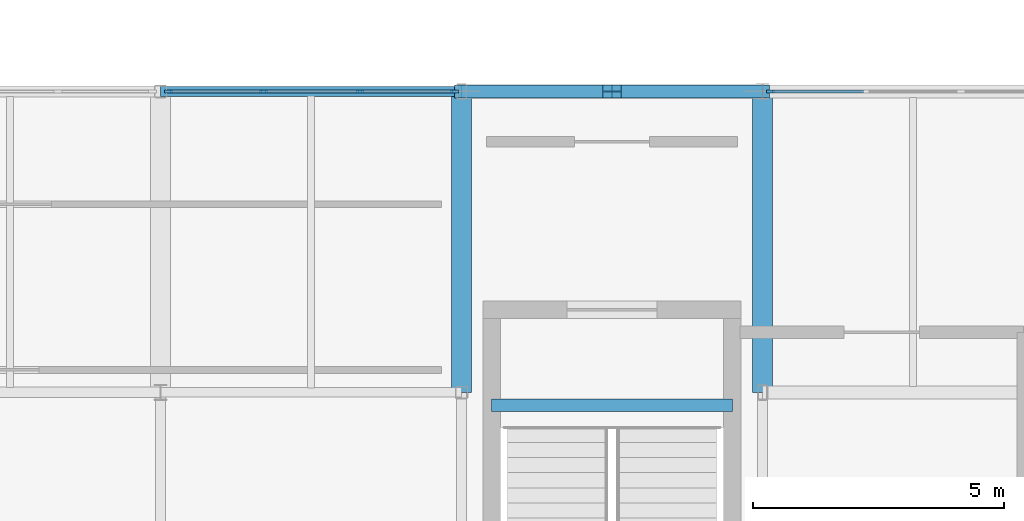
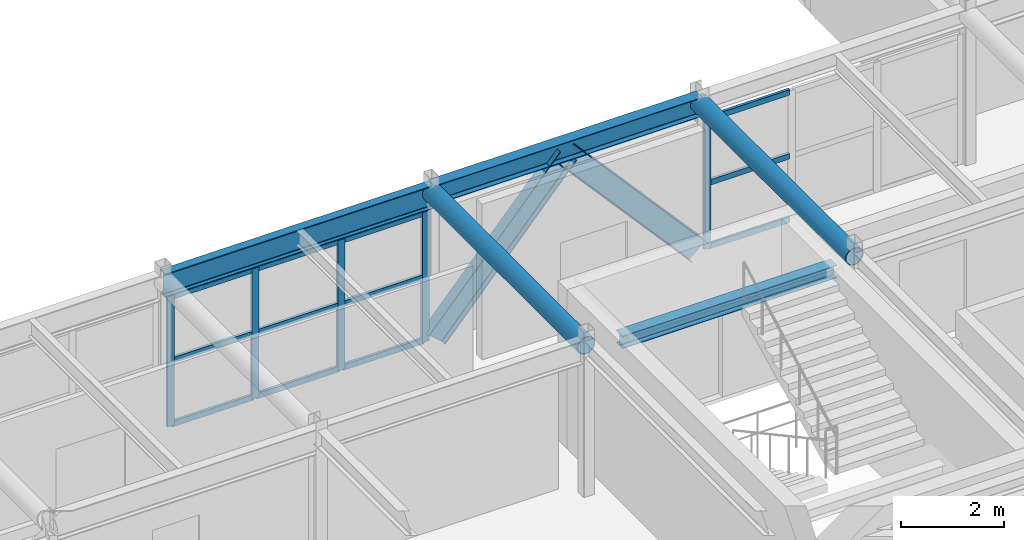
# One storey, part 5 of 27: 19 members, 5 beams, 2 elements without a shape of their own.
"""IFC4 building model written with IfcOpenShell, lengths in metres."""

from ifc_helpers import new_model, si_unit, direction, frame, origin, origin_2d, place, context, subcontext, project, spatial, rectangle, hollow_circle, i_section, extrude, material, material_profile, profile_set, type_object, element, aggregate, save


model = new_model("IFC4")

# Units and contexts
model_context = context("Model", 3, precision=1e-05, world=origin(), true_north=direction((0.0, 1.0)))
body_context = subcontext(model_context, "Body", "Model", "MODEL_VIEW")
ifc_project = project(units=[si_unit("LENGTHUNIT", "METRE"), si_unit("AREAUNIT", "SQUARE_METRE"), si_unit("VOLUMEUNIT", "CUBIC_METRE"), si_unit("PLANEANGLEUNIT", "RADIAN"), si_unit("MASSUNIT", "GRAM", prefix="KILO")], contexts=[model_context])

# Site, building, storey
site_placement = place(None, origin())
site = spatial("IfcSite", under=ifc_project, at=site_placement, CompositionType="ELEMENT")
building_placement = place(site_placement, origin())
building = spatial("IfcBuilding", under=site, at=building_placement, Name="Varnakota Square Police Headquarters", CompositionType="ELEMENT")
storey_placement = place(building_placement, frame((0.0, 0.0, 26.10009765625)))
storey = spatial("IfcBuildingStorey", under=building, at=storey_placement, Name="L06", CompositionType="ELEMENT", Elevation=26.10009765625)

# Beams
ifc_material_1 = material(Name="Steel IS 2062 Grade 350", Category="steel")
ifc_material_profile_1 = material_profile(ifc_material_1, hollow_circle(Radius=0.203125, WallThickness=0.01611328125, at=origin_2d()), Name="CHS 406.4x16.0")
ifc_profile_set_1 = profile_set([ifc_material_profile_1], Name="Steel IS 2062 Grade 350")
beam_type_1 = type_object("IfcBeamType", Name="BM-ARC-CHS406", PredefinedType="BEAM", material=ifc_profile_set_1)
for number, where, z_axis, x_axis, name in (
    (1, (126.0, 9.0, 3.48681640625), (0.0, 1.0, 0.0), (-1.0, 0.0, 0.0), "BMG-L06-3342"),
    (2, (132.0, 9.0, 3.48681640625), (0.0, 1.0, 0.0), (-1.0, 0.0, 0.0), "BMG-L06-3344"),
):
    element("IfcBeam", number, at=place(storey_placement, frame(where, z_axis=z_axis, x_axis=x_axis)), inside=storey, type_object=beam_type_1, Name=name, PredefinedType="BEAM", context=body_context, shape_type="SweptSolid", body=[
        extrude(hollow_circle(Radius=0.203125, WallThickness=0.01611328125, at=origin_2d()), origin(), (0.0, 0.0, 1.0), 6.0),
    ])
ifc_material_profile_2 = material_profile(ifc_material_1, i_section(OverallWidth=0.25, OverallDepth=0.300048828125, WebThickness=0.009521484375, FlangeThickness=0.010498046875, FilletRadius=0.011962890625, at=origin_2d()), Name="ISHB 300")
ifc_profile_set_2 = profile_set([ifc_material_profile_2], Name="Steel IS 2062 Grade 350")
beam_type_2 = type_object("IfcBeamType", Name="BM-ISHB300", PredefinedType="BEAM", material=ifc_profile_set_2)
beam_1_placement = place(storey_placement, frame((126.60009765625, 8.75, 3.56982421875), z_axis=(1.0, 0.0, 0.0), x_axis=(0.0, 1.0, 0.0)))
element("IfcBeam", 3, at=beam_1_placement, inside=storey, type_object=beam_type_2, Name="Stair landing support beam BM-LND-0015", PredefinedType="BEAM", context=body_context, shape_type="SweptSolid", body=[
    extrude(i_section(OverallWidth=0.25, OverallDepth=0.300048828125, WebThickness=0.009521484375, FlangeThickness=0.010498046875, FilletRadius=0.011962890625, at=origin_2d()), origin(), (0.0, 0.0, 1.0), 4.7998046875),
])
ifc_material_profile_3 = material_profile(ifc_material_1, i_section(OverallWidth=0.25, OverallDepth=0.449951171875, WebThickness=0.01123046875, FlangeThickness=0.013671875, FilletRadius=0.014892578125, at=origin_2d()), Name="ISHB 450")
ifc_profile_set_3 = profile_set([ifc_material_profile_3], Name="Steel IS 2062 Grade 350")
beam_type_3 = type_object("IfcBeamType", Name="BM-ISHB450", PredefinedType="BEAM", material=ifc_profile_set_3)
beam_2_placement = place(storey_placement, frame((126.0, 15.0, 3.46484375), z_axis=(1.0, 0.0, 0.0), x_axis=(0.0, 1.0, 0.0)))
element("IfcBeam", 4, at=beam_2_placement, inside=storey, type_object=beam_type_3, Name="BMG-L06-3315", PredefinedType="BEAM", context=body_context, shape_type="SweptSolid", body=[
    extrude(i_section(OverallWidth=0.25, OverallDepth=0.449951171875, WebThickness=0.01123046875, FlangeThickness=0.013671875, FilletRadius=0.014892578125, at=origin_2d()), origin(), (0.0, 0.0, 1.0), 6.0),
])
ifc_material_profile_4 = material_profile(ifc_material_1, i_section(OverallWidth=0.18994140625, OverallDepth=0.550048828125, WebThickness=0.01123046875, FlangeThickness=0.019287109375, FilletRadius=0.01806640625, at=origin_2d()), Name="ISMB 550")
ifc_profile_set_4 = profile_set([ifc_material_profile_4], Name="Steel IS 2062 Grade 350")
beam_type_4 = type_object("IfcBeamType", Name="BM-ISMB550", PredefinedType="BEAM", material=ifc_profile_set_4)
beam_3_placement = place(storey_placement, frame((120.0, 15.0, 3.414794921875), z_axis=(1.0, 0.0, 0.0), x_axis=(0.0, 1.0, 0.0)))
element("IfcBeam", 5, at=beam_3_placement, inside=storey, type_object=beam_type_4, Name="BMG-L06-3314", PredefinedType="BEAM", context=body_context, shape_type="SweptSolid", body=[
    extrude(i_section(OverallWidth=0.18994140625, OverallDepth=0.550048828125, WebThickness=0.01123046875, FlangeThickness=0.019287109375, FilletRadius=0.01806640625, at=origin_2d()), origin(), (0.0, 0.0, 1.0), 6.0),
])

# Curtain wall, members
ifc_material_2 = material(Name="Anodised Aluminium Framing", Category="aluminium")
curtain_wall_type = type_object("IfcCurtainWallType", Name="CW-SYS-D", PredefinedType="NOTDEFINED", material=ifc_material_2)
curtain_wall_1_placement = place(storey_placement, origin())
curtain_wall_1 = element("IfcCurtainWall", 6, at=curtain_wall_1_placement, inside=storey, type_object=curtain_wall_type, Name="Unitised curtain wall CWG-L06-115", PredefinedType="NOTDEFINED")
ifc_material_3 = material(Name="Anodised Aluminium 6063-T6", Category="aluminium")
ifc_material_profile_5 = material_profile(ifc_material_3, rectangle(XDim=0.06494140625, YDim=0.159912109375, at=origin_2d()), Name="ALU MULLION 65x160")
ifc_profile_set_5 = profile_set([ifc_material_profile_5], Name="Anodised Aluminium 6063-T6")
member_type_1 = type_object("IfcMemberType", Name="CWM-150", PredefinedType="MULLION", material=ifc_profile_set_5)
member_1_placement = place(storey_placement, frame((120.16259765625, 15.0, 0.0), z_axis=(0.0, 0.0, 1.0), x_axis=(0.0, 1.0, 0.0)))
member_1 = element("IfcMember", 7, at=member_1_placement, type_object=member_type_1, Name="CWG-L06-115 mullion 1", PredefinedType="MULLION", context=body_context, shape_type="SweptSolid", body=[
    extrude(rectangle(XDim=0.06494140625, YDim=0.159912109375, at=origin_2d()), origin(), (0.0, 0.0, 1.0), 3.079833984375),
])
member_2_placement = place(storey_placement, frame((122.0517578125, 15.0, 0.0), z_axis=(0.0, 0.0, 1.0), x_axis=(0.0, 1.0, 0.0)))
member_2 = element("IfcMember", 8, at=member_2_placement, type_object=member_type_1, Name="CWG-L06-115 mullion 2", PredefinedType="MULLION", context=body_context, shape_type="SweptSolid", body=[
    extrude(rectangle(XDim=0.06494140625, YDim=0.159912109375, at=origin_2d()), origin(), (0.0, 0.0, 1.0), 3.079833984375),
])
member_3_placement = place(storey_placement, frame((123.973388671875, 15.0, 0.0), z_axis=(0.0, 0.0, 1.0), x_axis=(0.0, 1.0, 0.0)))
member_3 = element("IfcMember", 9, at=member_3_placement, type_object=member_type_1, Name="CWG-L06-115 mullion 3", PredefinedType="MULLION", context=body_context, shape_type="SweptSolid", body=[
    extrude(rectangle(XDim=0.06494140625, YDim=0.159912109375, at=origin_2d()), origin(), (0.0, 0.0, 1.0), 3.079833984375),
])
member_4_placement = place(storey_placement, frame((125.862548828125, 15.0, 0.0), z_axis=(0.0, 0.0, 1.0), x_axis=(0.0, 1.0, 0.0)))
member_4 = element("IfcMember", 10, at=member_4_placement, type_object=member_type_1, Name="CWG-L06-115 mullion 4", PredefinedType="MULLION", context=body_context, shape_type="SweptSolid", body=[
    extrude(rectangle(XDim=0.06494140625, YDim=0.159912109375, at=origin_2d()), origin(), (0.0, 0.0, 1.0), 3.079833984375),
])

# Curtain wall, member
curtain_wall_2_placement = place(storey_placement, origin())
curtain_wall_2 = element("IfcCurtainWall", 11, at=curtain_wall_2_placement, inside=storey, type_object=curtain_wall_type, Name="Unitised curtain wall CWG-L06-116", PredefinedType="NOTDEFINED")
member_5_placement = place(storey_placement, frame((132.16259765625, 15.0, 0.0), z_axis=(0.0, 0.0, 1.0), x_axis=(0.0, 1.0, 0.0)))
member_5 = element("IfcMember", 12, at=member_5_placement, type_object=member_type_1, Name="CWG-L06-116 mullion 1", PredefinedType="MULLION", context=body_context, shape_type="SweptSolid", body=[
    extrude(rectangle(XDim=0.06494140625, YDim=0.159912109375, at=origin_2d()), origin(), (0.0, 0.0, 1.0), 3.079833984375),
])

# Member
ifc_material_profile_6 = material_profile(ifc_material_3, rectangle(XDim=0.06494140625, YDim=0.1298828125, at=origin_2d()), Name="ALU TRANSOM 65x130")
ifc_profile_set_6 = profile_set([ifc_material_profile_6], Name="Anodised Aluminium 6063-T6")
member_type_2 = type_object("IfcMemberType", Name="CWT-120", PredefinedType="USERDEFINED", material=ifc_profile_set_6)
member_6_placement = place(storey_placement, frame((120.195068359375, 15.0, 0.032470703125), z_axis=(1.0, 0.0, 0.0), x_axis=(0.0, 1.0, 0.0)))
member_6 = element("IfcMember", 13, at=member_6_placement, type_object=member_type_2, Name="CWG-L06-115 transom 1.1", ObjectType="TRANSOM", PredefinedType="USERDEFINED", context=body_context, shape_type="SweptSolid", body=[
    extrude(rectangle(XDim=0.06494140625, YDim=0.1298828125, at=origin_2d()), origin(), (0.0, 0.0, 1.0), 1.82421875),
])

member_7_placement = place(storey_placement, frame((120.195068359375, 15.0, 1.539794921875), z_axis=(1.0, 0.0, 0.0), x_axis=(0.0, 1.0, 0.0)))
member_7 = element("IfcMember", 14, at=member_7_placement, type_object=member_type_2, Name="CWG-L06-115 transom 1.2", ObjectType="TRANSOM", PredefinedType="USERDEFINED", context=body_context, shape_type="SweptSolid", body=[
    extrude(rectangle(XDim=0.06494140625, YDim=0.1298828125, at=origin_2d()), origin(), (0.0, 0.0, 1.0), 1.82421875),
])

member_8_placement = place(storey_placement, frame((120.195068359375, 15.0, 3.04736328125), z_axis=(1.0, 0.0, 0.0), x_axis=(0.0, 1.0, 0.0)))
member_8 = element("IfcMember", 15, at=member_8_placement, type_object=member_type_2, Name="CWG-L06-115 transom 1.3", ObjectType="TRANSOM", PredefinedType="USERDEFINED", context=body_context, shape_type="SweptSolid", body=[
    extrude(rectangle(XDim=0.06494140625, YDim=0.1298828125, at=origin_2d()), origin(), (0.0, 0.0, 1.0), 1.82421875),
])

member_9_placement = place(storey_placement, frame((122.084228515625, 15.0, 0.032470703125), z_axis=(1.0, 0.0, 0.0), x_axis=(0.0, 1.0, 0.0)))
member_9 = element("IfcMember", 16, at=member_9_placement, type_object=member_type_2, Name="CWG-L06-115 transom 2.1", ObjectType="TRANSOM", PredefinedType="USERDEFINED", context=body_context, shape_type="SweptSolid", body=[
    extrude(rectangle(XDim=0.06494140625, YDim=0.1298828125, at=origin_2d()), origin(), (0.0, 0.0, 1.0), 1.856689453125),
])

member_10_placement = place(storey_placement, frame((122.084228515625, 15.0, 1.539794921875), z_axis=(1.0, 0.0, 0.0), x_axis=(0.0, 1.0, 0.0)))
member_10 = element("IfcMember", 17, at=member_10_placement, type_object=member_type_2, Name="CWG-L06-115 transom 2.2", ObjectType="TRANSOM", PredefinedType="USERDEFINED", context=body_context, shape_type="SweptSolid", body=[
    extrude(rectangle(XDim=0.06494140625, YDim=0.1298828125, at=origin_2d()), origin(), (0.0, 0.0, 1.0), 1.856689453125),
])

member_11_placement = place(storey_placement, frame((122.084228515625, 15.0, 3.04736328125), z_axis=(1.0, 0.0, 0.0), x_axis=(0.0, 1.0, 0.0)))
member_11 = element("IfcMember", 18, at=member_11_placement, type_object=member_type_2, Name="CWG-L06-115 transom 2.3", ObjectType="TRANSOM", PredefinedType="USERDEFINED", context=body_context, shape_type="SweptSolid", body=[
    extrude(rectangle(XDim=0.06494140625, YDim=0.1298828125, at=origin_2d()), origin(), (0.0, 0.0, 1.0), 1.856689453125),
])

member_12_placement = place(storey_placement, frame((124.005859375, 15.0, 0.032470703125), z_axis=(1.0, 0.0, 0.0), x_axis=(0.0, 1.0, 0.0)))
member_12 = element("IfcMember", 19, at=member_12_placement, type_object=member_type_2, Name="CWG-L06-115 transom 3.1", ObjectType="TRANSOM", PredefinedType="USERDEFINED", context=body_context, shape_type="SweptSolid", body=[
    extrude(rectangle(XDim=0.06494140625, YDim=0.1298828125, at=origin_2d()), origin(), (0.0, 0.0, 1.0), 1.82421875),
])

member_13_placement = place(storey_placement, frame((124.005859375, 15.0, 1.539794921875), z_axis=(1.0, 0.0, 0.0), x_axis=(0.0, 1.0, 0.0)))
member_13 = element("IfcMember", 20, at=member_13_placement, type_object=member_type_2, Name="CWG-L06-115 transom 3.2", ObjectType="TRANSOM", PredefinedType="USERDEFINED", context=body_context, shape_type="SweptSolid", body=[
    extrude(rectangle(XDim=0.06494140625, YDim=0.1298828125, at=origin_2d()), origin(), (0.0, 0.0, 1.0), 1.82421875),
])

member_14_placement = place(storey_placement, frame((124.005859375, 15.0, 3.04736328125), z_axis=(1.0, 0.0, 0.0), x_axis=(0.0, 1.0, 0.0)))
member_14 = element("IfcMember", 21, at=member_14_placement, type_object=member_type_2, Name="CWG-L06-115 transom 3.3", ObjectType="TRANSOM", PredefinedType="USERDEFINED", context=body_context, shape_type="SweptSolid", body=[
    extrude(rectangle(XDim=0.06494140625, YDim=0.1298828125, at=origin_2d()), origin(), (0.0, 0.0, 1.0), 1.82421875),
])

aggregate(curtain_wall_1, [member_1, member_2, member_3, member_4, member_6, member_7, member_8, member_9, member_10, member_11, member_12, member_13, member_14])

member_15_placement = place(storey_placement, frame((132.195068359375, 15.0, 0.032470703125), z_axis=(1.0, 0.0, 0.0), x_axis=(0.0, 1.0, 0.0)))
member_15 = element("IfcMember", 22, at=member_15_placement, type_object=member_type_2, Name="CWG-L06-116 transom 1.1", ObjectType="TRANSOM", PredefinedType="USERDEFINED", context=body_context, shape_type="SweptSolid", body=[
    extrude(rectangle(XDim=0.06494140625, YDim=0.1298828125, at=origin_2d()), origin(), (0.0, 0.0, 1.0), 1.815673828125),
])

member_16_placement = place(storey_placement, frame((132.195068359375, 15.0, 1.539794921875), z_axis=(1.0, 0.0, 0.0), x_axis=(0.0, 1.0, 0.0)))
member_16 = element("IfcMember", 23, at=member_16_placement, type_object=member_type_2, Name="CWG-L06-116 transom 1.2", ObjectType="TRANSOM", PredefinedType="USERDEFINED", context=body_context, shape_type="SweptSolid", body=[
    extrude(rectangle(XDim=0.06494140625, YDim=0.1298828125, at=origin_2d()), origin(), (0.0, 0.0, 1.0), 1.815673828125),
])

member_17_placement = place(storey_placement, frame((132.195068359375, 15.0, 3.04736328125), z_axis=(1.0, 0.0, 0.0), x_axis=(0.0, 1.0, 0.0)))
member_17 = element("IfcMember", 24, at=member_17_placement, type_object=member_type_2, Name="CWG-L06-116 transom 1.3", ObjectType="TRANSOM", PredefinedType="USERDEFINED", context=body_context, shape_type="SweptSolid", body=[
    extrude(rectangle(XDim=0.06494140625, YDim=0.1298828125, at=origin_2d()), origin(), (0.0, 0.0, 1.0), 1.815673828125),
])

aggregate(curtain_wall_2, [member_5, member_15, member_16, member_17])

# Members
ifc_material_profile_7 = material_profile(ifc_material_1, i_section(OverallWidth=0.25, OverallDepth=0.5, WebThickness=0.010009765625, FlangeThickness=0.0146484375, FilletRadius=0.014892578125, at=origin_2d()), Name="ISWB 500")
ifc_profile_set_7 = profile_set([ifc_material_profile_7], Name="Steel IS 2062 Grade 350")
member_type_3 = type_object("IfcMemberType", Name="MEM-BR-ISWB500", PredefinedType="BRACE", material=ifc_profile_set_7)
for number, where, z_axis, x_axis, name in (
    (25, (126.050048828125, 15.0, 0.02001953125), (0.663119595189, 0.0, 0.748513461787), (0.0, 1.0, 0.0), "Lateral brace BF1 L06 left"),
    (26, (131.949951171875, 15.0, 0.02001953125), (-0.663119595189, 0.0, 0.748513461787), (0.0, -1.0, 0.0), "Lateral brace BF1 L06 right"),
):
    element("IfcMember", number, at=place(storey_placement, frame(where, z_axis=z_axis, x_axis=x_axis)), inside=storey, type_object=member_type_3, Name=name, PredefinedType="BRACE", context=body_context, shape_type="SweptSolid", body=[
        extrude(i_section(OverallWidth=0.25, OverallDepth=0.5, WebThickness=0.010009765625, FlangeThickness=0.0146484375, FilletRadius=0.014892578125, at=origin_2d()), origin(), (0.0, 0.0, 1.0), 4.448486328125),
    ])

save(model, "model.ifc")
